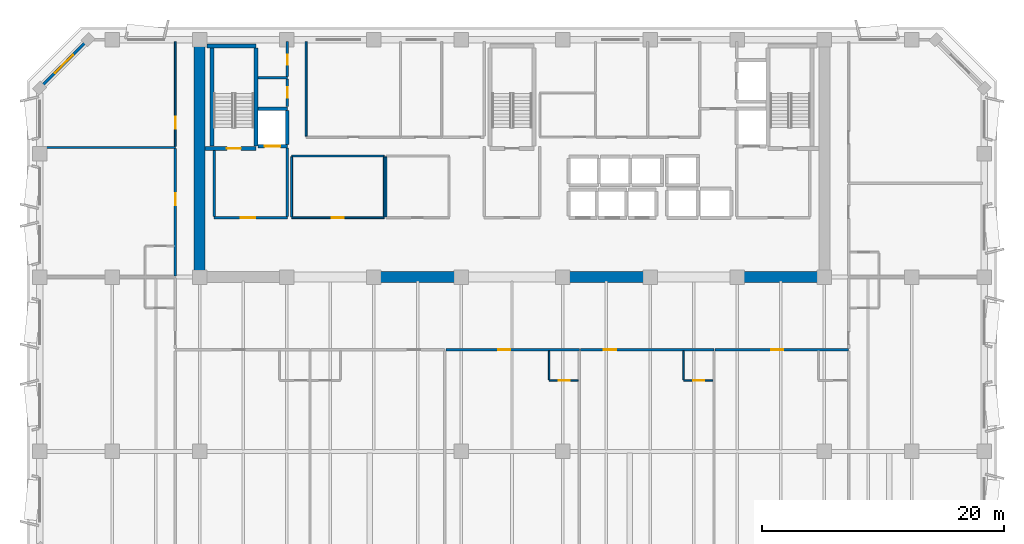
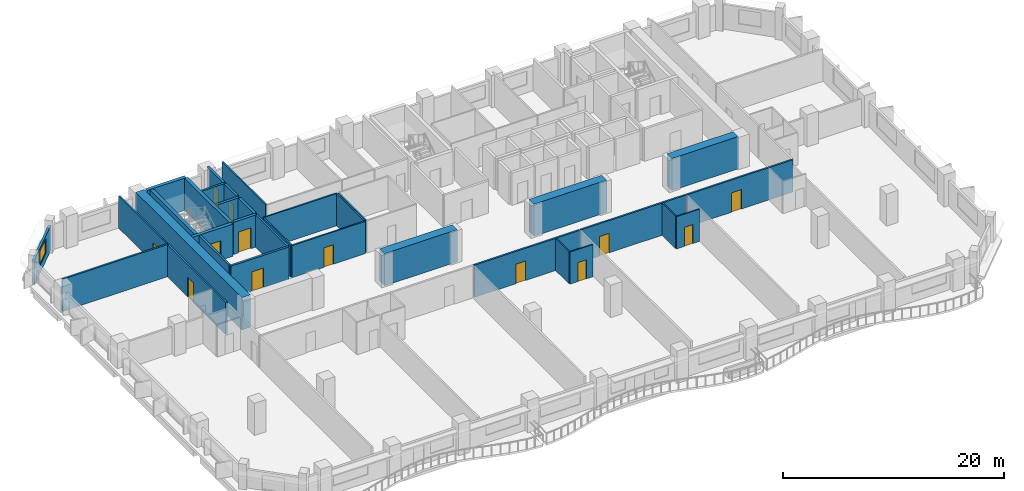
# One storey, part 5 of 14: 34 walls, 13 doors, 1 window, 14 openings.
"""IFC4 building model written with IfcOpenShell, lengths in metres."""

from ifc_helpers import new_model, si_unit, direction, frame, frame_2d, origin, place, context, subcontext, project, spatial, rectangle, extrude, material, layer, layer_set, type_object, element, fill, save


model = new_model("IFC4")

# Units and contexts
model_context = context("Model", 3, precision=1e-05, world=origin(), true_north=direction((0.0, 1.0)))
body_context = subcontext(model_context, "Body", "Model", "MODEL_VIEW")
ifc_project = project(units=[si_unit("LENGTHUNIT", "METRE"), si_unit("AREAUNIT", "SQUARE_METRE"), si_unit("VOLUMEUNIT", "CUBIC_METRE"), si_unit("PLANEANGLEUNIT", "RADIAN"), si_unit("MASSUNIT", "GRAM", prefix="KILO")], contexts=[model_context])

# Site, building, storey
site_placement = place(None, origin())
site = spatial("IfcSite", under=ifc_project, at=site_placement, CompositionType="ELEMENT")
building_placement = place(site_placement, origin())
building = spatial("IfcBuilding", under=site, at=building_placement, Name="Kaelvorn Grand Hotel", CompositionType="ELEMENT")
storey_placement = place(building_placement, frame((0.0, 0.0, 209.14990234375)))
storey = spatial("IfcBuildingStorey", under=building, at=storey_placement, Name="L51", CompositionType="ELEMENT", Elevation=209.14990234375)

# Walls
ifc_material_1 = material(Name="Concrete C60/75", Category="concrete")
ifc_layer_1 = layer(ifc_material_1, 0.89990234375)
ifc_layer_set_1 = layer_set([ifc_layer_1], Name="Concrete C60/75")
wall_type_1 = type_object("IfcWallType", Name="WL-CORE-900-C60", PredefinedType="SHEAR", material=ifc_layer_set_1)
wall_1_placement = place(storey_placement, frame((16.199951171875, 29.39990234375, 0.0), z_axis=(0.0, 0.0, 1.0), x_axis=(0.0, 1.0, 0.0)))
element("IfcWall", 1, at=wall_1_placement, inside=storey, type_object=wall_type_1, Name="L51 Rear-Core West Shear Wall", PredefinedType="SHEAR", context=body_context, shape_type="SweptSolid", body=[
    extrude(rectangle(XDim=19.2001953125, YDim=0.89990234375, at=frame_2d((9.60009765625, 0.0))), origin(), (0.0, 0.0, 1.0), 3.56005859375),
])
for number, where, z_axis, x_axis, name in (
    (2, (30.39990234375, 29.39990234375, 0.0), (0.0, 0.0, 1.0), (1.0, 0.0, 0.0), "L51 Rear-Core Coupled Shear Pier S2"),
    (3, (46.0, 29.39990234375, 0.0), (0.0, 0.0, 1.0), (1.0, 0.0, 0.0), "L51 Rear-Core Coupled Shear Pier S3"),
):
    element("IfcWall", number, at=place(storey_placement, frame(where, z_axis=z_axis, x_axis=x_axis)), inside=storey, type_object=wall_type_1, Name=name, PredefinedType="SHEAR", context=body_context, shape_type="SweptSolid", body=[
        extrude(rectangle(XDim=7.60009765625, YDim=0.89990234375, at=frame_2d((3.800048828125, 0.0))), origin(), (0.0, 0.0, 1.0), 3.56005859375),
    ])
wall_2_placement = place(storey_placement, frame((60.39990234375, 29.39990234375, 0.0), z_axis=(0.0, 0.0, 1.0), x_axis=(1.0, 0.0, 0.0)))
element("IfcWall", 4, at=wall_2_placement, inside=storey, type_object=wall_type_1, Name="L51 Rear-Core Coupled Shear Pier S4", PredefinedType="SHEAR", context=body_context, shape_type="SweptSolid", body=[
    extrude(rectangle(XDim=6.945068359375, YDim=0.89990234375, at=frame_2d((3.47265625, 0.0))), origin(), (0.0, 0.0, 1.0), 3.56005859375),
])

# Wall, opening, window
ifc_material_2 = material(Name="Concrete C40/50", Category="concrete")
ifc_layer_2 = layer(ifc_material_2, 0.239990234375)
ifc_layer_set_2 = layer_set([ifc_layer_2], Name="Concrete C40/50")
wall_type_2 = type_object("IfcWallType", Name="WL-EXT-240-C40", PredefinedType="SOLIDWALL", material=ifc_layer_set_2)
wall_3_placement = place(storey_placement, frame((7.0, 49.0, 0.0), z_axis=(0.0, 0.0, 1.0), x_axis=(-0.707106781187, -0.707106781187, 0.0)))
wall_3 = element("IfcWall", 5, at=wall_3_placement, inside=storey, type_object=wall_type_2, Name="L51 Exterior Architectural Concrete Wall 06", PredefinedType="SOLIDWALL", context=body_context, shape_type="SweptSolid", body=[
    extrude(rectangle(XDim=5.65673828125, YDim=0.239990234375, at=frame_2d((2.828369140625, 0.0))), origin(), (0.0, 0.0, 1.0), 2.760009765625),
])
opening_1_placement = place(wall_3_placement, frame((1.7783203125, 0.0, 0.85009765625)))
opening_1 = element("IfcOpeningElement", 6, at=opening_1_placement, cuts=wall_3, Name="Opening W7", PredefinedType="OPENING", context=body_context, shape_type="SweptSolid", body=[
    extrude(rectangle(XDim=2.10009765625, YDim=1.60009765625, at=frame_2d((1.050048828125, 0.800048828125))), frame((0.0, 0.1298828125, 0.0), z_axis=(0.0, -1.0, 0.0), x_axis=(1.0, 0.0, 0.0)), (0.0, 0.0, 1.0), 0.260009765625),
])
ifc_material_3 = material(Name="Laminated Low-E Glass", Category="glass")
window_type = type_object("IfcWindowType", Name="WIN-CHM-2100x1600", PartitioningType="SINGLE_PANEL", PredefinedType="WINDOW", material=ifc_material_3)
window_placement = place(opening_1_placement, origin())
window = element("IfcWindow", 7, at=window_placement, inside=storey, type_object=window_type, Name="L51 Chamfered 45-Degree Corner Window NW", OverallHeight=1.60009765625, OverallWidth=2.10009765625, PartitioningType="SINGLE_PANEL", PredefinedType="WINDOW", context=body_context, shape_type="SweptSolid", body=[
    extrude(rectangle(XDim=2.10009765625, YDim=1.60009765625, at=frame_2d((1.050048828125, 0.800048828125))), frame((0.0, 0.030029296875, 0.0), z_axis=(0.0, -1.0, 0.0), x_axis=(1.0, 0.0, 0.0)), (0.0, 0.0, 1.0), 0.06005859375),
])
fill(opening_1, window)

# Wall, opening, door
ifc_material_4 = material(Name="Moisture-Resistant Tile & Stud Board")
ifc_layer_3 = layer(ifc_material_4, 0.125)
ifc_layer_set_3 = layer_set([ifc_layer_3], Name="Moisture-Resistant Tile & Stud Board")
wall_type_3 = type_object("IfcWallType", Name="WL-PART-125-WET", PredefinedType="PARTITIONING", material=ifc_layer_set_3)
wall_4_placement = place(storey_placement, frame((45.06005859375, 20.85009765625, 0.0), z_axis=(0.0, 0.0, 1.0), x_axis=(1.0, 0.0, 0.0)))
wall_4 = element("IfcWall", 8, at=wall_4_placement, inside=storey, type_object=wall_type_3, Name="L51 En-suite Bathroom L51-03 S Partition", PredefinedType="PARTITIONING", context=body_context, shape_type="SweptSolid", body=[
    extrude(rectangle(XDim=2.405029296875, YDim=0.125, at=frame_2d((1.20263671875, 0.0))), origin(), (0.0, 0.0, 1.0), 3.56005859375),
])
opening_2_placement = place(wall_4_placement, frame((0.800048828125, 0.0, 0.0)))
opening_2 = element("IfcOpeningElement", 9, at=opening_2_placement, cuts=wall_4, Name="Opening DI4", PredefinedType="OPENING", context=body_context, shape_type="SweptSolid", body=[
    extrude(rectangle(XDim=0.89990234375, YDim=2.10009765625, at=frame_2d((0.449951171875, 1.050048828125))), frame((0.0, 0.072509765625, 0.0), z_axis=(0.0, -1.0, 0.0), x_axis=(1.0, 0.0, 0.0)), (0.0, 0.0, 1.0), 0.14501953125),
])
ifc_material_5 = material(Name="Timber Veneer Leaf", Category="wood")
door_type_1 = type_object("IfcDoorType", Name="DR-INT-BATH-900x2100", OperationType="NOTDEFINED", PredefinedType="DOOR", material=ifc_material_5)
door_1_placement = place(opening_2_placement, origin())
door_1 = element("IfcDoor", 10, at=door_1_placement, inside=storey, type_object=door_type_1, Name="L51 En-suite Bathroom L51-03 Door", OperationType="SINGLE_SWING_LEFT", OverallHeight=2.10009765625, OverallWidth=0.89990234375, PredefinedType="DOOR", context=body_context, shape_type="SweptSolid", body=[
    extrude(rectangle(XDim=0.89990234375, YDim=2.10009765625, at=frame_2d((0.449951171875, 1.050048828125))), frame((0.0, 0.02490234375, 0.0), z_axis=(0.0, -1.0, 0.0), x_axis=(1.0, 0.0, 0.0)), (0.0, 0.0, 1.0), 0.050048828125),
])
fill(opening_2, door_1)

# Wall
wall_5_placement = place(storey_placement, frame((45.06005859375, 20.91748046875, 0.0), z_axis=(0.0, 0.0, 1.0), x_axis=(0.0, 1.0, 0.0)))
element("IfcWall", 11, at=wall_5_placement, inside=storey, type_object=wall_type_3, Name="L51 En-suite Bathroom L51-03 W Partition", PredefinedType="PARTITIONING", context=body_context, shape_type="SweptSolid", body=[
    extrude(rectangle(XDim=2.387451171875, YDim=0.125, at=frame_2d((1.19384765625, 0.0))), origin(), (0.0, 0.0, 1.0), 3.56005859375),
])

# Wall, opening, door
wall_6_placement = place(storey_placement, frame((56.179931640625, 20.85009765625, 0.0), z_axis=(0.0, 0.0, 1.0), x_axis=(1.0, 0.0, 0.0)))
wall_6 = element("IfcWall", 12, at=wall_6_placement, inside=storey, type_object=wall_type_3, Name="L51 En-suite Bathroom L51-04 S Partition", PredefinedType="PARTITIONING", context=body_context, shape_type="SweptSolid", body=[
    extrude(rectangle(XDim=2.405029296875, YDim=0.125, at=frame_2d((1.20263671875, 0.0))), origin(), (0.0, 0.0, 1.0), 3.56005859375),
])
opening_3_placement = place(wall_6_placement, frame((0.800048828125, 0.0, 0.0)))
opening_3 = element("IfcOpeningElement", 13, at=opening_3_placement, cuts=wall_6, Name="Opening DI4", PredefinedType="OPENING", context=body_context, shape_type="SweptSolid", body=[
    extrude(rectangle(XDim=0.89990234375, YDim=2.10009765625, at=frame_2d((0.449951171875, 1.050048828125))), frame((0.0, 0.072509765625, 0.0), z_axis=(0.0, -1.0, 0.0), x_axis=(1.0, 0.0, 0.0)), (0.0, 0.0, 1.0), 0.14501953125),
])
door_2_placement = place(opening_3_placement, origin())
door_2 = element("IfcDoor", 14, at=door_2_placement, inside=storey, type_object=door_type_1, Name="L51 En-suite Bathroom L51-04 Door", OperationType="SINGLE_SWING_LEFT", OverallHeight=2.10009765625, OverallWidth=0.89990234375, PredefinedType="DOOR", context=body_context, shape_type="SweptSolid", body=[
    extrude(rectangle(XDim=0.89990234375, YDim=2.10009765625, at=frame_2d((0.449951171875, 1.050048828125))), frame((0.0, 0.02490234375, 0.0), z_axis=(0.0, -1.0, 0.0), x_axis=(1.0, 0.0, 0.0)), (0.0, 0.0, 1.0), 0.050048828125),
])
fill(opening_3, door_2)

# Walls
wall_7_placement = place(storey_placement, frame((56.179931640625, 20.91748046875, 0.0), z_axis=(0.0, 0.0, 1.0), x_axis=(0.0, 1.0, 0.0)))
element("IfcWall", 15, at=wall_7_placement, inside=storey, type_object=wall_type_3, Name="L51 En-suite Bathroom L51-04 W Partition", PredefinedType="PARTITIONING", context=body_context, shape_type="SweptSolid", body=[
    extrude(rectangle(XDim=2.387451171875, YDim=0.125, at=frame_2d((1.19384765625, 0.0))), origin(), (0.0, 0.0, 1.0), 3.56005859375),
])
ifc_material_6 = material(Name="Acoustic Gypsum & Stud Partition")
ifc_layer_4 = layer(ifc_material_6, 0.14990234375)
ifc_layer_set_4 = layer_set([ifc_layer_4], Name="Acoustic Gypsum & Stud Partition")
wall_type_4 = type_object("IfcWallType", Name="WL-PART-150-EI60", PredefinedType="PARTITIONING", material=ifc_layer_set_4)
wall_8_placement = place(storey_placement, frame((31.60009765625, 34.3798828125, 0.0), z_axis=(0.0, 0.0, 1.0), x_axis=(0.0, 1.0, 0.0)))
element("IfcWall", 16, at=wall_8_placement, inside=storey, type_object=wall_type_4, Name="L51 Core Telecoms & BMS Server Room W Partition", PredefinedType="PARTITIONING", context=body_context, shape_type="SweptSolid", body=[
    extrude(rectangle(XDim=4.940185546875, YDim=0.14990234375, at=frame_2d((2.47021484375, 0.0))), origin(), (0.0, 0.0, 1.0), 3.56005859375),
])

# Wall, opening, door
wall_9_placement = place(storey_placement, frame((23.800048828125, 34.300048828125, 0.0), z_axis=(0.0, 0.0, 1.0), x_axis=(1.0, 0.0, 0.0)))
wall_9 = element("IfcWall", 17, at=wall_9_placement, inside=storey, type_object=wall_type_4, Name="L51 Executive Club Sitting Lounge S Partition", PredefinedType="PARTITIONING", context=body_context, shape_type="SweptSolid", body=[
    extrude(rectangle(XDim=7.64990234375, YDim=0.14990234375, at=frame_2d((3.824951171875, 0.0))), origin(), (0.0, 0.0, 1.0), 3.56005859375),
])
opening_4_placement = place(wall_9_placement, frame((3.300048828125, 0.0, 0.0)))
opening_4 = element("IfcOpeningElement", 18, at=opening_4_placement, cuts=wall_9, Name="Opening DI3", PredefinedType="OPENING", context=body_context, shape_type="SweptSolid", body=[
    extrude(rectangle(XDim=1.0, YDim=2.14990234375, at=frame_2d((0.5, 1.074951171875))), frame((0.0, 0.0849609375, 0.0), z_axis=(0.0, -1.0, 0.0), x_axis=(1.0, 0.0, 0.0)), (0.0, 0.0, 1.0), 0.169921875),
])
ifc_material_7 = material(Name="Timber Veneer Fire Leaf", Category="wood")
door_type_2 = type_object("IfcDoorType", Name="DR-INT-GUEST-1000x2150", OperationType="NOTDEFINED", PredefinedType="DOOR", material=ifc_material_7)
door_3_placement = place(opening_4_placement, origin())
door_3 = element("IfcDoor", 19, at=door_3_placement, inside=storey, type_object=door_type_2, Name="L51 Executive Club Sitting Lounge Door", OperationType="SINGLE_SWING_LEFT", OverallHeight=2.14990234375, OverallWidth=1.0, PredefinedType="DOOR", context=body_context, shape_type="SweptSolid", body=[
    extrude(rectangle(XDim=1.0, YDim=2.14990234375, at=frame_2d((0.5, 1.074951171875))), frame((0.0, 0.02490234375, 0.0), z_axis=(0.0, -1.0, 0.0), x_axis=(1.0, 0.0, 0.0)), (0.0, 0.0, 1.0), 0.050048828125),
])
fill(opening_4, door_3)

# Walls
wall_10_placement = place(storey_placement, frame((23.800048828125, 39.39990234375, 0.0), z_axis=(0.0, 0.0, 1.0), x_axis=(1.0, 0.0, 0.0)))
element("IfcWall", 20, at=wall_10_placement, inside=storey, type_object=wall_type_4, Name="L51 Executive Club Sitting Lounge N Partition", PredefinedType="PARTITIONING", context=body_context, shape_type="SweptSolid", body=[
    extrude(rectangle(XDim=7.64990234375, YDim=0.14990234375, at=frame_2d((3.824951171875, 0.0))), origin(), (0.0, 0.0, 1.0), 3.56005859375),
])
for number, where, z_axis, x_axis, name in (
    (21, (23.800048828125, 34.3798828125, 0.0), (0.0, 0.0, 1.0), (0.0, 1.0, 0.0), "L51 Executive Club Sitting Lounge W Partition"),
    (22, (31.449951171875, 34.3798828125, 0.0), (0.0, 0.0, 1.0), (0.0, 1.0, 0.0), "L51 Executive Club Sitting Lounge E Partition"),
):
    element("IfcWall", number, at=place(storey_placement, frame(where, z_axis=z_axis, x_axis=x_axis)), inside=storey, type_object=wall_type_4, Name=name, PredefinedType="PARTITIONING", context=body_context, shape_type="SweptSolid", body=[
        extrude(rectangle(XDim=4.940185546875, YDim=0.14990234375, at=frame_2d((2.47021484375, 0.0))), origin(), (0.0, 0.0, 1.0), 3.56005859375),
    ])
wall_11_placement = place(storey_placement, frame((25.0, 41.030029296875, 0.0), z_axis=(0.0, 0.0, 1.0), x_axis=(0.0, 1.0, 0.0)))
element("IfcWall", 23, at=wall_11_placement, inside=storey, type_object=wall_type_4, Name="L51 Housekeeping & Linen Room W Partition", PredefinedType="PARTITIONING", context=body_context, shape_type="SweptSolid", body=[
    extrude(rectangle(XDim=7.820068359375, YDim=0.14990234375, at=frame_2d((3.91015625, 0.0))), origin(), (0.0, 0.0, 1.0), 3.56005859375),
])

# Wall, opening, door
wall_12_placement = place(storey_placement, frame((14.199951171875, 40.195068359375, 0.0), z_axis=(0.0, 0.0, 1.0), x_axis=(0.0, 1.0, 0.0)))
wall_12 = element("IfcWall", 24, at=wall_12_placement, inside=storey, type_object=wall_type_4, Name="L51 North-West Executive Law Office E Partition", PredefinedType="PARTITIONING", context=body_context, shape_type="SweptSolid", body=[
    extrude(rectangle(XDim=8.655029296875, YDim=0.14990234375, at=frame_2d((4.32763671875, 0.0))), origin(), (0.0, 0.0, 1.0), 3.56005859375),
])
opening_5_placement = place(wall_12_placement, frame((1.455078125, 0.0, 0.0)))
opening_5 = element("IfcOpeningElement", 25, at=opening_5_placement, cuts=wall_12, Name="Opening DI3", PredefinedType="OPENING", context=body_context, shape_type="SweptSolid", body=[
    extrude(rectangle(XDim=1.0, YDim=2.14990234375, at=frame_2d((0.5, 1.074951171875))), frame((0.0, 0.0849609375, 0.0), z_axis=(0.0, -1.0, 0.0), x_axis=(1.0, 0.0, 0.0)), (0.0, 0.0, 1.0), 0.169921875),
])
door_4_placement = place(opening_5_placement, origin())
door_4 = element("IfcDoor", 26, at=door_4_placement, inside=storey, type_object=door_type_2, Name="L51 North-West Executive Law Office Door", OperationType="SINGLE_SWING_RIGHT", OverallHeight=2.14990234375, OverallWidth=1.0, PredefinedType="DOOR", context=body_context, shape_type="SweptSolid", body=[
    extrude(rectangle(XDim=1.0, YDim=2.14990234375, at=frame_2d((0.5, 1.074951171875))), frame((0.0, 0.02490234375, 0.0), z_axis=(0.0, -1.0, 0.0), x_axis=(1.0, 0.0, 0.0)), (0.0, 0.0, 1.0), 0.050048828125),
])
fill(opening_5, door_4)

ifc_layer_5 = layer(ifc_material_6, 0.179931640625)
ifc_layer_set_5 = layer_set([ifc_layer_5], Name="Acoustic Gypsum & Stud Partition")
wall_type_5 = type_object("IfcWallType", Name="WL-PART-180-EI60", PredefinedType="PARTITIONING", material=ifc_layer_set_5)
wall_13_placement = place(storey_placement, frame((36.534912109375, 23.39990234375, 0.0), z_axis=(0.0, 0.0, 1.0), x_axis=(1.0, 0.0, 0.0)))
wall_13 = element("IfcWall", 27, at=wall_13_placement, inside=storey, type_object=wall_type_5, Name="L51 Mid-Rise Signature Suite L51-03 N Partition", PredefinedType="PARTITIONING", context=body_context, shape_type="SweptSolid", body=[
    extrude(rectangle(XDim=11.025146484375, YDim=0.179931640625, at=frame_2d((5.5126953125, 0.0))), origin(), (0.0, 0.0, 1.0), 3.56005859375),
])
opening_6_placement = place(wall_13_placement, frame((4.3349609375, 0.0, 0.0)))
opening_6 = element("IfcOpeningElement", 28, at=opening_6_placement, cuts=wall_13, Name="Opening DI3", PredefinedType="OPENING", context=body_context, shape_type="SweptSolid", body=[
    extrude(rectangle(XDim=1.0, YDim=2.14990234375, at=frame_2d((0.5, 1.074951171875))), frame((0.0, 0.10009765625, 0.0), z_axis=(0.0, -1.0, 0.0), x_axis=(1.0, 0.0, 0.0)), (0.0, 0.0, 1.0), 0.199951171875),
])
door_5_placement = place(opening_6_placement, origin())
door_5 = element("IfcDoor", 29, at=door_5_placement, inside=storey, type_object=door_type_2, Name="L51 Mid-Rise Signature Suite L51-03 Door", OperationType="SINGLE_SWING_RIGHT", OverallHeight=2.14990234375, OverallWidth=1.0, PredefinedType="DOOR", context=body_context, shape_type="SweptSolid", body=[
    extrude(rectangle(XDim=1.0, YDim=2.14990234375, at=frame_2d((0.5, 1.074951171875))), frame((0.0, 0.02490234375, 0.0), z_axis=(0.0, -1.0, 0.0), x_axis=(1.0, 0.0, 0.0)), (0.0, 0.0, 1.0), 0.050048828125),
])
fill(opening_6, door_5)

wall_14_placement = place(storey_placement, frame((47.655029296875, 23.39990234375, 0.0), z_axis=(0.0, 0.0, 1.0), x_axis=(1.0, 0.0, 0.0)))
wall_14 = element("IfcWall", 30, at=wall_14_placement, inside=storey, type_object=wall_type_5, Name="L51 Mid-Rise Signature Suite L51-04 N Partition", PredefinedType="PARTITIONING", context=body_context, shape_type="SweptSolid", body=[
    extrude(rectangle(XDim=11.02490234375, YDim=0.179931640625, at=frame_2d((5.512451171875, 0.0))), origin(), (0.0, 0.0, 1.0), 3.56005859375),
])
opening_7_placement = place(wall_14_placement, frame((1.93505859375, 0.0, 0.0)))
opening_7 = element("IfcOpeningElement", 31, at=opening_7_placement, cuts=wall_14, Name="Opening DI3", PredefinedType="OPENING", context=body_context, shape_type="SweptSolid", body=[
    extrude(rectangle(XDim=1.0, YDim=2.14990234375, at=frame_2d((0.5, 1.074951171875))), frame((0.0, 0.10009765625, 0.0), z_axis=(0.0, -1.0, 0.0), x_axis=(1.0, 0.0, 0.0)), (0.0, 0.0, 1.0), 0.199951171875),
])
door_6_placement = place(opening_7_placement, origin())
door_6 = element("IfcDoor", 32, at=door_6_placement, inside=storey, type_object=door_type_2, Name="L51 Mid-Rise Signature Suite L51-04 Door", OperationType="SINGLE_SWING_RIGHT", OverallHeight=2.14990234375, OverallWidth=1.0, PredefinedType="DOOR", context=body_context, shape_type="SweptSolid", body=[
    extrude(rectangle(XDim=1.0, YDim=2.14990234375, at=frame_2d((0.5, 1.074951171875))), frame((0.0, 0.02490234375, 0.0), z_axis=(0.0, -1.0, 0.0), x_axis=(1.0, 0.0, 0.0)), (0.0, 0.0, 1.0), 0.050048828125),
])
fill(opening_7, door_6)

wall_15_placement = place(storey_placement, frame((58.77490234375, 23.39990234375, 0.0), z_axis=(0.0, 0.0, 1.0), x_axis=(1.0, 0.0, 0.0)))
wall_15 = element("IfcWall", 33, at=wall_15_placement, inside=storey, type_object=wall_type_5, Name="L51 Mid-Rise Signature Suite L51-05 N Partition", PredefinedType="PARTITIONING", context=body_context, shape_type="SweptSolid", body=[
    extrude(rectangle(XDim=11.025146484375, YDim=0.179931640625, at=frame_2d((5.5126953125, 0.0))), origin(), (0.0, 0.0, 1.0), 3.56005859375),
])
opening_8_placement = place(wall_15_placement, frame((4.614990234375, 0.0, 0.0)))
opening_8 = element("IfcOpeningElement", 34, at=opening_8_placement, cuts=wall_15, Name="Opening DI3", PredefinedType="OPENING", context=body_context, shape_type="SweptSolid", body=[
    extrude(rectangle(XDim=1.0, YDim=2.14990234375, at=frame_2d((0.5, 1.074951171875))), frame((0.0, 0.10009765625, 0.0), z_axis=(0.0, -1.0, 0.0), x_axis=(1.0, 0.0, 0.0)), (0.0, 0.0, 1.0), 0.199951171875),
])
door_7_placement = place(opening_8_placement, origin())
door_7 = element("IfcDoor", 35, at=door_7_placement, inside=storey, type_object=door_type_2, Name="L51 Mid-Rise Signature Suite L51-05 Door", OperationType="SINGLE_SWING_RIGHT", OverallHeight=2.14990234375, OverallWidth=1.0, PredefinedType="DOOR", context=body_context, shape_type="SweptSolid", body=[
    extrude(rectangle(XDim=1.0, YDim=2.14990234375, at=frame_2d((0.5, 1.074951171875))), frame((0.0, 0.02490234375, 0.0), z_axis=(0.0, -1.0, 0.0), x_axis=(1.0, 0.0, 0.0)), (0.0, 0.0, 1.0), 0.050048828125),
])
fill(opening_8, door_7)

# Wall
wall_16_placement = place(storey_placement, frame((3.14990234375, 40.10009765625, 0.0), z_axis=(0.0, 0.0, 1.0), x_axis=(1.0, 0.0, 0.0)))
element("IfcWall", 36, at=wall_16_placement, inside=storey, type_object=wall_type_5, Name="L51 North-West Wing Suite L51-08 N Partition", PredefinedType="PARTITIONING", context=body_context, shape_type="SweptSolid", body=[
    extrude(rectangle(XDim=11.050048828125, YDim=0.179931640625, at=frame_2d((5.52490234375, 0.0))), origin(), (0.0, 0.0, 1.0), 3.56005859375),
])

# Wall, opening, door
wall_17_placement = place(storey_placement, frame((14.199951171875, 29.4951171875, 0.0), z_axis=(0.0, 0.0, 1.0), x_axis=(0.0, 1.0, 0.0)))
wall_17 = element("IfcWall", 37, at=wall_17_placement, inside=storey, type_object=wall_type_5, Name="L51 North-West Wing Suite L51-08 E Partition", PredefinedType="PARTITIONING", context=body_context, shape_type="SweptSolid", body=[
    extrude(rectangle(XDim=10.509765625, YDim=0.179931640625, at=frame_2d((5.2548828125, 0.0))), origin(), (0.0, 0.0, 1.0), 3.56005859375),
])
opening_9_placement = place(wall_17_placement, frame((5.840087890625, 0.0, 0.0)))
opening_9 = element("IfcOpeningElement", 38, at=opening_9_placement, cuts=wall_17, Name="Opening DI3", PredefinedType="OPENING", context=body_context, shape_type="SweptSolid", body=[
    extrude(rectangle(XDim=1.0, YDim=2.14990234375, at=frame_2d((0.5, 1.074951171875))), frame((0.0, 0.10009765625, 0.0), z_axis=(0.0, -1.0, 0.0), x_axis=(1.0, 0.0, 0.0)), (0.0, 0.0, 1.0), 0.199951171875),
])
door_8_placement = place(opening_9_placement, origin())
door_8 = element("IfcDoor", 39, at=door_8_placement, inside=storey, type_object=door_type_2, Name="L51 North-West Wing Suite L51-08 Door", OperationType="SINGLE_SWING_RIGHT", OverallHeight=2.14990234375, OverallWidth=1.0, PredefinedType="DOOR", context=body_context, shape_type="SweptSolid", body=[
    extrude(rectangle(XDim=1.0, YDim=2.14990234375, at=frame_2d((0.5, 1.074951171875))), frame((0.0, 0.02490234375, 0.0), z_axis=(0.0, -1.0, 0.0), x_axis=(1.0, 0.0, 0.0)), (0.0, 0.0, 1.0), 0.050048828125),
])
fill(opening_9, door_8)

ifc_layer_6 = layer(ifc_material_2, 0.219970703125)
ifc_layer_set_6 = layer_set([ifc_layer_6], Name="Concrete C40/50")
wall_type_6 = type_object("IfcWallType", Name="WL-PART-220-EI120", PredefinedType="PARTITIONING", material=ifc_layer_set_6)
wall_18_placement = place(storey_placement, frame((17.39990234375, 34.300048828125, 0.0), z_axis=(0.0, 0.0, 1.0), x_axis=(1.0, 0.0, 0.0)))
wall_18 = element("IfcWall", 40, at=wall_18_placement, inside=storey, type_object=wall_type_6, Name="L51 Firefighting Lift Lobby 1 S Partition", PredefinedType="PARTITIONING", context=body_context, shape_type="SweptSolid", body=[
    extrude(rectangle(XDim=6.050048828125, YDim=0.219970703125, at=frame_2d((3.02490234375, 0.0))), origin(), (0.0, 0.0, 1.0), 3.56005859375),
])
opening_10_placement = place(wall_18_placement, frame((2.199951171875, 0.0, 0.0)))
opening_10 = element("IfcOpeningElement", 41, at=opening_10_placement, cuts=wall_18, Name="Opening DI2", PredefinedType="OPENING", context=body_context, shape_type="SweptSolid", body=[
    extrude(rectangle(XDim=1.199951171875, YDim=2.14990234375, at=frame_2d((0.60009765625, 1.074951171875))), frame((0.0, 0.1201171875, 0.0), z_axis=(0.0, -1.0, 0.0), x_axis=(1.0, 0.0, 0.0)), (0.0, 0.0, 1.0), 0.239990234375),
])
door_type_3 = type_object("IfcDoorType", Name="DR-INT-FFLOB-1200x2150", OperationType="NOTDEFINED", PredefinedType="DOOR", material=ifc_material_7)
door_9_placement = place(opening_10_placement, origin())
door_9 = element("IfcDoor", 42, at=door_9_placement, inside=storey, type_object=door_type_3, Name="L51 Firefighting Lift Lobby 1 Door", OperationType="SINGLE_SWING_RIGHT", OverallHeight=2.14990234375, OverallWidth=1.199951171875, PredefinedType="DOOR", context=body_context, shape_type="SweptSolid", body=[
    extrude(rectangle(XDim=1.199951171875, YDim=2.14990234375, at=frame_2d((0.60009765625, 1.074951171875))), frame((0.0, 0.02490234375, 0.0), z_axis=(0.0, -1.0, 0.0), x_axis=(1.0, 0.0, 0.0)), (0.0, 0.0, 1.0), 0.050048828125),
])
fill(opening_10, door_9)

# Walls
wall_19_placement = place(storey_placement, frame((17.39990234375, 34.4150390625, 0.0), z_axis=(0.0, 0.0, 1.0), x_axis=(0.0, 1.0, 0.0)))
element("IfcWall", 43, at=wall_19_placement, inside=storey, type_object=wall_type_6, Name="L51 Firefighting Lift Lobby 1 W Partition", PredefinedType="PARTITIONING", context=body_context, shape_type="SweptSolid", body=[
    extrude(rectangle(XDim=5.429931640625, YDim=0.219970703125, at=frame_2d((2.71484375, 0.0))), origin(), (0.0, 0.0, 1.0), 3.56005859375),
])
wall_20_placement = place(storey_placement, frame((23.449951171875, 34.4150390625, 0.0), z_axis=(0.0, 0.0, 1.0), x_axis=(0.0, 1.0, 0.0)))
element("IfcWall", 44, at=wall_20_placement, inside=storey, type_object=wall_type_6, Name="L51 Firefighting Lift Lobby 1 E Partition", PredefinedType="PARTITIONING", context=body_context, shape_type="SweptSolid", body=[
    extrude(rectangle(XDim=5.639892578125, YDim=0.219970703125, at=frame_2d((2.81982421875, 0.0))), origin(), (0.0, 0.0, 1.0), 3.56005859375),
])
wall_21_placement = place(storey_placement, frame((21.034912109375, 45.85009765625, 0.0), z_axis=(0.0, 0.0, 1.0), x_axis=(1.0, 0.0, 0.0)))
element("IfcWall", 45, at=wall_21_placement, inside=storey, type_object=wall_type_6, Name="L51 Wet Fire & Plumbing Riser Shaft N Partition", PredefinedType="PARTITIONING", context=body_context, shape_type="SweptSolid", body=[
    extrude(rectangle(XDim=2.4150390625, YDim=0.219970703125, at=frame_2d((1.20751953125, 0.0))), origin(), (0.0, 0.0, 1.0), 3.56005859375),
])

# Wall, opening, door
wall_22_placement = place(storey_placement, frame((23.449951171875, 43.5, 0.0), z_axis=(0.0, 0.0, 1.0), x_axis=(0.0, 1.0, 0.0)))
wall_22 = element("IfcWall", 46, at=wall_22_placement, inside=storey, type_object=wall_type_6, Name="L51 Wet Fire & Plumbing Riser Shaft E Partition", PredefinedType="PARTITIONING", context=body_context, shape_type="SweptSolid", body=[
    extrude(rectangle(XDim=2.235107421875, YDim=0.219970703125, at=frame_2d((1.11767578125, 0.0))), origin(), (0.0, 0.0, 1.0), 3.56005859375),
])
opening_11_placement = place(wall_22_placement, frame((0.72509765625, 0.0, 0.0)))
opening_11 = element("IfcOpeningElement", 47, at=opening_11_placement, cuts=wall_22, Name="Opening DI7", PredefinedType="OPENING", context=body_context, shape_type="SweptSolid", body=[
    extrude(rectangle(XDim=0.85009765625, YDim=2.10009765625, at=frame_2d((0.425048828125, 1.050048828125))), frame((0.0, 0.1201171875, 0.0), z_axis=(0.0, -1.0, 0.0), x_axis=(1.0, 0.0, 0.0)), (0.0, 0.0, 1.0), 0.239990234375),
])
ifc_material_8 = material(Name="Powder-Coated Steel Leaf", Category="steel")
door_type_4 = type_object("IfcDoorType", Name="DR-INT-RISER-850x2100", OperationType="NOTDEFINED", PredefinedType="DOOR", material=ifc_material_8)
door_10_placement = place(opening_11_placement, origin())
door_10 = element("IfcDoor", 48, at=door_10_placement, inside=storey, type_object=door_type_4, Name="L51 Wet Fire & Plumbing Riser Shaft Door", OperationType="SINGLE_SWING_RIGHT", OverallHeight=2.10009765625, OverallWidth=0.85009765625, PredefinedType="DOOR", context=body_context, shape_type="SweptSolid", body=[
    extrude(rectangle(XDim=0.85009765625, YDim=2.10009765625, at=frame_2d((0.425048828125, 1.050048828125))), frame((0.0, 0.02490234375, 0.0), z_axis=(0.0, -1.0, 0.0), x_axis=(1.0, 0.0, 0.0)), (0.0, 0.0, 1.0), 0.050048828125),
])
fill(opening_11, door_10)

wall_23_placement = place(storey_placement, frame((23.449951171875, 45.965087890625, 0.0), z_axis=(0.0, 0.0, 1.0), x_axis=(0.0, 1.0, 0.0)))
wall_23 = element("IfcWall", 49, at=wall_23_placement, inside=storey, type_object=wall_type_6, Name="L51 HV Electrical & Smoke Riser E Partition", PredefinedType="PARTITIONING", context=body_context, shape_type="SweptSolid", body=[
    extrude(rectangle(XDim=2.885009765625, YDim=0.219970703125, at=frame_2d((1.4423828125, 0.0))), origin(), (0.0, 0.0, 1.0), 3.56005859375),
])
opening_12_placement = place(wall_23_placement, frame((0.9599609375, 0.0, 0.0)))
opening_12 = element("IfcOpeningElement", 50, at=opening_12_placement, cuts=wall_23, Name="Opening DI7", PredefinedType="OPENING", context=body_context, shape_type="SweptSolid", body=[
    extrude(rectangle(XDim=0.85009765625, YDim=2.10009765625, at=frame_2d((0.425048828125, 1.050048828125))), frame((0.0, 0.1201171875, 0.0), z_axis=(0.0, -1.0, 0.0), x_axis=(1.0, 0.0, 0.0)), (0.0, 0.0, 1.0), 0.239990234375),
])
door_11_placement = place(opening_12_placement, origin())
door_11 = element("IfcDoor", 51, at=door_11_placement, inside=storey, type_object=door_type_4, Name="L51 HV Electrical & Smoke Riser Door", OperationType="SINGLE_SWING_LEFT", OverallHeight=2.10009765625, OverallWidth=0.85009765625, PredefinedType="DOOR", context=body_context, shape_type="SweptSolid", body=[
    extrude(rectangle(XDim=0.85009765625, YDim=2.10009765625, at=frame_2d((0.425048828125, 1.050048828125))), frame((0.0, 0.02490234375, 0.0), z_axis=(0.0, -1.0, 0.0), x_axis=(1.0, 0.0, 0.0)), (0.0, 0.0, 1.0), 0.050048828125),
])
fill(opening_12, door_11)

ifc_material_9 = material(Name="Concrete C50/60", Category="concrete")
ifc_layer_7 = layer(ifc_material_9, 0.280029296875)
ifc_layer_set_7 = layer_set([ifc_layer_7], Name="Concrete C50/60")
wall_type_7 = type_object("IfcWallType", Name="WL-SHAFT-280-C50", PredefinedType="SHEAR", material=ifc_layer_set_7)
wall_24_placement = place(storey_placement, frame((21.034912109375, 40.199951171875, 0.0), z_axis=(0.0, 0.0, 1.0), x_axis=(1.0, 0.0, 0.0)))
wall_24 = element("IfcWall", 52, at=wall_24_placement, inside=storey, type_object=wall_type_7, Name="L51 Lift FFL1 Shaft South Wall", PredefinedType="SHEAR", context=body_context, shape_type="SweptSolid", body=[
    extrude(rectangle(XDim=2.4150390625, YDim=0.280029296875, at=frame_2d((1.20751953125, 0.0))), origin(), (0.0, 0.0, 1.0), 3.56005859375),
])
opening_13_placement = place(wall_24_placement, frame((0.5400390625, 0.0, 0.0)))
opening_13 = element("IfcOpeningElement", 53, at=opening_13_placement, cuts=wall_24, Name="Opening LD-FFL1", PredefinedType="OPENING", context=body_context, shape_type="SweptSolid", body=[
    extrude(rectangle(XDim=1.300048828125, YDim=2.300048828125, at=frame_2d((0.64990234375, 1.14990234375))), frame((0.0, 0.14990234375, 0.0), z_axis=(0.0, -1.0, 0.0), x_axis=(1.0, 0.0, 0.0)), (0.0, 0.0, 1.0), 0.300048828125),
])
ifc_material_10 = material(Name="Stainless Steel", Category="steel")
door_type_5 = type_object("IfcDoorType", Name="DR-LIFT-SERV-1300x2300", OperationType="DOUBLE_DOOR_SLIDING", PredefinedType="DOOR", material=ifc_material_10)
door_12_placement = place(opening_13_placement, origin())
door_12 = element("IfcDoor", 54, at=door_12_placement, inside=storey, type_object=door_type_5, Name="L51 Lift FFL1 Sliding Landing Door LD-FFL1", OperationType="DOUBLE_DOOR_SLIDING", OverallHeight=2.300048828125, OverallWidth=1.300048828125, PredefinedType="DOOR", context=body_context, shape_type="SweptSolid", body=[
    extrude(rectangle(XDim=1.300048828125, YDim=2.300048828125, at=frame_2d((0.64990234375, 1.14990234375))), frame((0.0, 0.02490234375, 0.0), z_axis=(0.0, -1.0, 0.0), x_axis=(1.0, 0.0, 0.0)), (0.0, 0.0, 1.0), 0.050048828125),
])
fill(opening_13, door_12)

# Walls
wall_25_placement = place(storey_placement, frame((21.034912109375, 43.300048828125, 0.0), z_axis=(0.0, 0.0, 1.0), x_axis=(1.0, 0.0, 0.0)))
element("IfcWall", 55, at=wall_25_placement, inside=storey, type_object=wall_type_7, Name="L51 Lift FFL1 Shaft North Wall", PredefinedType="SHEAR", context=body_context, shape_type="SweptSolid", body=[
    extrude(rectangle(XDim=2.4150390625, YDim=0.280029296875, at=frame_2d((1.20751953125, 0.0))), origin(), (0.0, 0.0, 1.0), 3.56005859375),
])
wall_26_placement = place(storey_placement, frame((23.449951171875, 40.344970703125, 0.0), z_axis=(0.0, 0.0, 1.0), x_axis=(0.0, 1.0, 0.0)))
element("IfcWall", 56, at=wall_26_placement, inside=storey, type_object=wall_type_7, Name="L51 Lift FFL1 Shaft East Wall", PredefinedType="SHEAR", context=body_context, shape_type="SweptSolid", body=[
    extrude(rectangle(XDim=2.81005859375, YDim=0.280029296875, at=frame_2d((1.405029296875, 0.0))), origin(), (0.0, 0.0, 1.0), 3.56005859375),
])

# Wall, opening, door
ifc_layer_8 = layer(ifc_material_1, 0.35009765625)
ifc_layer_set_8 = layer_set([ifc_layer_8], Name="Concrete C60/75")
wall_type_8 = type_object("IfcWallType", Name="WL-SHAFT-350-C60", PredefinedType="SHEAR", material=ifc_layer_set_8)
wall_27_placement = place(storey_placement, frame((16.655029296875, 40.02490234375, 0.0), z_axis=(0.0, 0.0, 1.0), x_axis=(1.0, 0.0, 0.0)))
wall_27 = element("IfcWall", 57, at=wall_27_placement, inside=storey, type_object=wall_type_8, Name="L51 ST1 Stair Shaft South Wall", PredefinedType="SHEAR", context=body_context, shape_type="SweptSolid", body=[
    extrude(rectangle(XDim=4.199951171875, YDim=0.35009765625, at=frame_2d((2.10009765625, 0.0))), origin(), (0.0, 0.0, 1.0), 3.56005859375),
])
opening_14_placement = place(wall_27_placement, frame((1.81005859375, 0.0, 0.0)))
opening_14 = element("IfcOpeningElement", 58, at=opening_14_placement, cuts=wall_27, Name="Opening DI1", PredefinedType="OPENING", context=body_context, shape_type="SweptSolid", body=[
    extrude(rectangle(XDim=1.14990234375, YDim=2.14990234375, at=frame_2d((0.574951171875, 1.074951171875))), frame((0.0, 0.18505859375, 0.0), z_axis=(0.0, -1.0, 0.0), x_axis=(1.0, 0.0, 0.0)), (0.0, 0.0, 1.0), 0.3701171875),
])
door_type_6 = type_object("IfcDoorType", Name="DR-INT-STAIR-1150x2150", OperationType="NOTDEFINED", PredefinedType="DOOR", material=ifc_material_7)
door_13_placement = place(opening_14_placement, origin())
door_13 = element("IfcDoor", 59, at=door_13_placement, inside=storey, type_object=door_type_6, Name="L51 ST1 Exit Stair Fire Door", OperationType="SINGLE_SWING_LEFT", OverallHeight=2.14990234375, OverallWidth=1.14990234375, PredefinedType="DOOR", context=body_context, shape_type="SweptSolid", body=[
    extrude(rectangle(XDim=1.14990234375, YDim=2.14990234375, at=frame_2d((0.574951171875, 1.074951171875))), frame((0.0, 0.02490234375, 0.0), z_axis=(0.0, -1.0, 0.0), x_axis=(1.0, 0.0, 0.0)), (0.0, 0.0, 1.0), 0.050048828125),
])
fill(opening_14, door_13)

# Walls
wall_28_placement = place(storey_placement, frame((16.804931640625, 48.47509765625, 0.0), z_axis=(0.0, 0.0, 1.0), x_axis=(1.0, 0.0, 0.0)))
element("IfcWall", 60, at=wall_28_placement, inside=storey, type_object=wall_type_8, Name="L51 ST1 Stair Shaft North Wall", PredefinedType="SHEAR", context=body_context, shape_type="SweptSolid", body=[
    extrude(rectangle(XDim=4.050048828125, YDim=0.35009765625, at=frame_2d((2.02490234375, 0.0))), origin(), (0.0, 0.0, 1.0), 3.56005859375),
])
for number, where, z_axis, x_axis, name in (
    (61, (17.22509765625, 40.205078125, 0.0), (0.0, 0.0, 1.0), (0.0, 1.0, 0.0), "L51 ST1 Stair Shaft West Wall"),
    (62, (20.85498046875, 40.205078125, 0.0), (0.0, 0.0, 1.0), (0.0, 1.0, 0.0), "L51 ST1 Stair Shaft East Wall"),
):
    element("IfcWall", number, at=place(storey_placement, frame(where, z_axis=z_axis, x_axis=x_axis)), inside=storey, type_object=wall_type_8, Name=name, PredefinedType="SHEAR", context=body_context, shape_type="SweptSolid", body=[
        extrude(rectangle(XDim=8.08984375, YDim=0.35009765625, at=frame_2d((4.044921875, 0.0))), origin(), (0.0, 0.0, 1.0), 3.56005859375),
    ])

save(model, "model.ifc")
